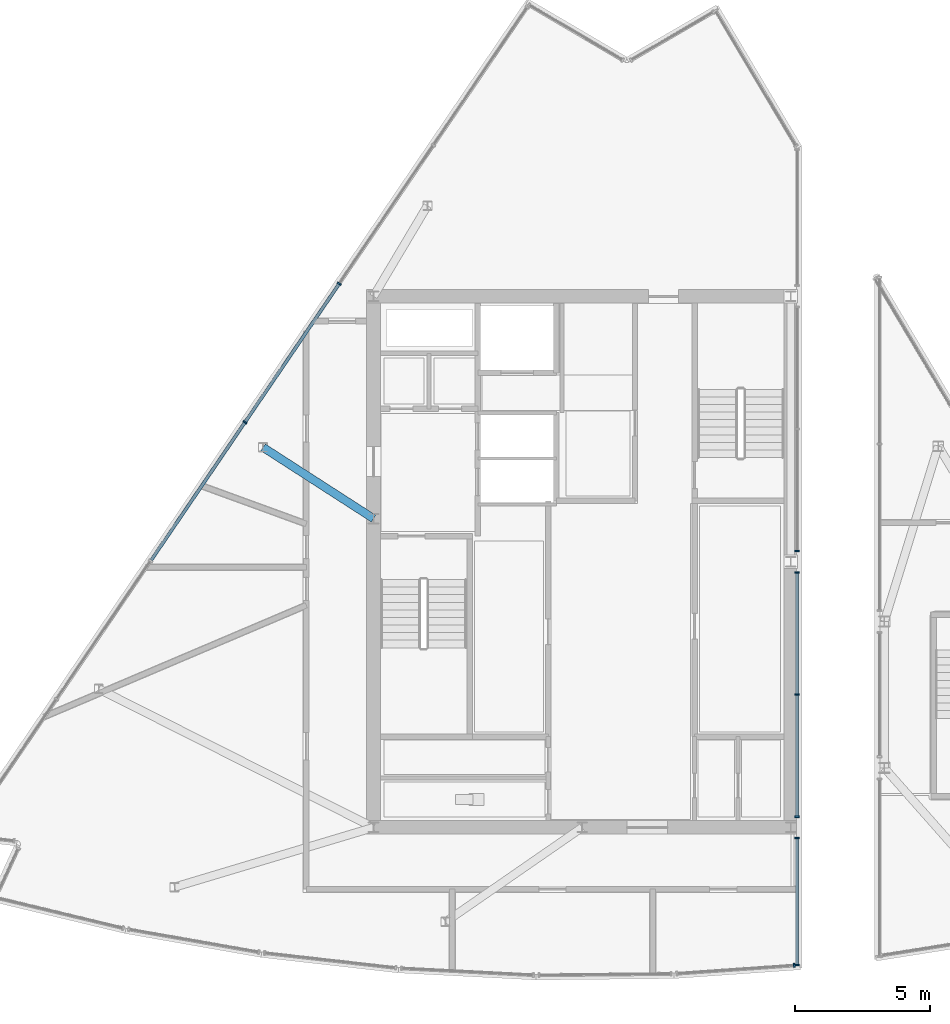
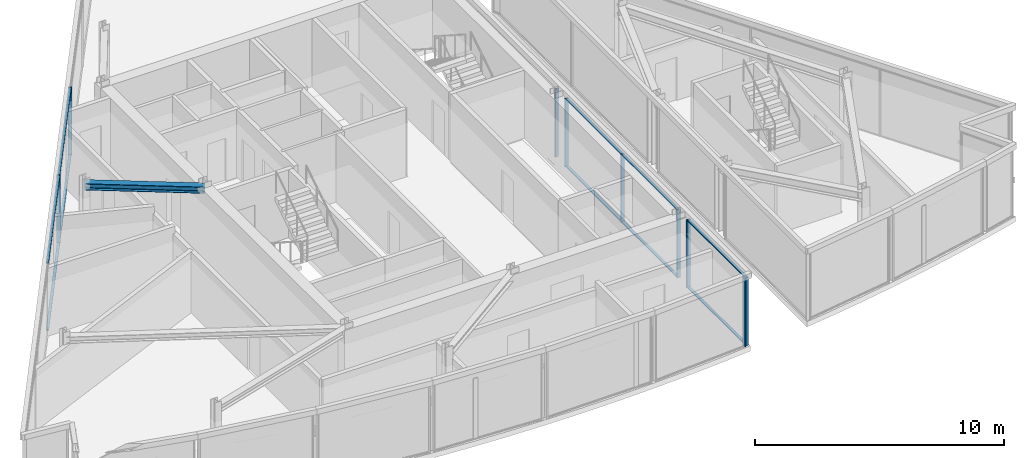
# One storey, part 4 of 15: 19 members, 1 beam, 5 elements without a shape of their own.
"""IFC4 building model written with IfcOpenShell, lengths in metres."""

from ifc_helpers import new_model, si_unit, direction, frame, origin, origin_2d, place, context, subcontext, project, spatial, rectangle, i_section, extrude, material, material_profile, profile_set, type_object, element, aggregate, save


model = new_model("IFC4")

# Units and contexts
model_context = context("Model", 3, precision=1e-05, world=origin(), true_north=direction((0.0, 1.0)))
body_context = subcontext(model_context, "Body", "Model", "MODEL_VIEW")
ifc_project = project(units=[si_unit("LENGTHUNIT", "METRE"), si_unit("AREAUNIT", "SQUARE_METRE"), si_unit("VOLUMEUNIT", "CUBIC_METRE"), si_unit("PLANEANGLEUNIT", "RADIAN"), si_unit("MASSUNIT", "GRAM", prefix="KILO")], contexts=[model_context])

# Site, building, storey
site_placement = place(None, origin())
site = spatial("IfcSite", under=ifc_project, at=site_placement, CompositionType="ELEMENT")
building_placement = place(site_placement, origin())
building = spatial("IfcBuilding", under=site, at=building_placement, Name="Savorim Split Tower", CompositionType="ELEMENT")
storey_placement = place(building_placement, frame((0.0, 0.0, 308.39990234375)))
storey = spatial("IfcBuildingStorey", under=building, at=storey_placement, Name="Crown L82 Plant", CompositionType="ELEMENT", Elevation=308.39990234375)

# Beam
ifc_material_1 = material(Name="Steel S355", Category="steel")
ifc_material_profile_1 = material_profile(ifc_material_1, i_section(OverallWidth=0.300048828125, OverallDepth=0.320068359375, WebThickness=0.011474609375, FlangeThickness=0.0205078125, FilletRadius=0.027099609375, at=origin_2d()), Name="HEB 320")
ifc_profile_set_1 = profile_set([ifc_material_profile_1], Name="Steel S355")
beam_type = type_object("IfcBeamType", Name="BM-PRI-HEB320", PredefinedType="BEAM", material=ifc_profile_set_1)
beam_placement = place(storey_placement, frame((-11.775390625, 4.626708984375, 3.18017578125), z_axis=(0.840541482681, -0.541747188172, 0.0), x_axis=(0.541747188172, 0.840541482681, 0.0)))
element("IfcBeam", 1, at=beam_placement, inside=storey, type_object=beam_type, Name="Crown L82 Plant West Crown Beam WBG-4", PredefinedType="BEAM", context=body_context, shape_type="SweptSolid", body=[
    extrude(i_section(OverallWidth=0.300048828125, OverallDepth=0.320068359375, WebThickness=0.011474609375, FlangeThickness=0.0205078125, FilletRadius=0.027099609375, at=origin_2d()), origin(), (0.0, 0.0, 1.0), 4.8486328125),
])

# Curtain wall, members
ifc_material_2 = material(Name="Dark Ceramic-Fritted Insulated Glass", Category="glass")
curtain_wall_type = type_object("IfcCurtainWallType", Name="CW-CROWN-CREST", PredefinedType="NOTDEFINED", material=ifc_material_2)
curtain_wall_1_placement = place(storey_placement, origin())
curtain_wall_1 = element("IfcCurtainWall", 2, at=curtain_wall_1_placement, inside=storey, type_object=curtain_wall_type, Name="Crown L82 Plant Curtain Wall CW-Crown-L82-Plant-W1AS1", PredefinedType="NOTDEFINED")
ifc_material_3 = material(Name="Charcoal Anodised Aluminium", Category="aluminium")
ifc_material_profile_2 = material_profile(ifc_material_3, rectangle(XDim=0.159912109375, YDim=0.06005859375, at=origin_2d()), Name="ALU-M 160x60")
ifc_profile_set_2 = profile_set([ifc_material_profile_2], Name="Charcoal Anodised Aluminium")
member_type_1 = type_object("IfcMemberType", Name="CWM-160x60", PredefinedType="MULLION", material=ifc_profile_set_2)
member_1_placement = place(storey_placement, frame((7.929931640625, -14.482421875, 0.0), z_axis=(0.0, 0.0, 1.0), x_axis=(-1.0, 0.0, 0.0)))
member_1 = element("IfcMember", 3, at=member_1_placement, type_object=member_type_1, Name="CW-07 mullion 1", PredefinedType="MULLION", context=body_context, shape_type="SweptSolid", body=[
    extrude(rectangle(XDim=0.159912109375, YDim=0.06005859375, at=origin_2d()), origin(), (0.0, 0.0, 1.0), 3.340087890625),
])
member_2_placement = place(storey_placement, frame((7.929931640625, -9.7958984375, 0.0), z_axis=(0.0, 0.0, 1.0), x_axis=(-1.0, 0.0, 0.0)))
member_2 = element("IfcMember", 4, at=member_2_placement, type_object=member_type_1, Name="CW-07 mullion 2", PredefinedType="MULLION", context=body_context, shape_type="SweptSolid", body=[
    extrude(rectangle(XDim=0.159912109375, YDim=0.06005859375, at=origin_2d()), origin(), (0.0, 0.0, 1.0), 3.340087890625),
])

curtain_wall_2_placement = place(storey_placement, origin())
curtain_wall_2 = element("IfcCurtainWall", 5, at=curtain_wall_2_placement, inside=storey, type_object=curtain_wall_type, Name="Crown L82 Plant Curtain Wall CW-Crown-L82-Plant-W1AS2", PredefinedType="NOTDEFINED")
member_3_placement = place(storey_placement, frame((7.929931640625, -9.00390625, 0.0), z_axis=(0.0, 0.0, 1.0), x_axis=(-1.0, 0.0, 0.0)))
member_3 = element("IfcMember", 6, at=member_3_placement, type_object=member_type_1, Name="CW-07 mullion 1", PredefinedType="MULLION", context=body_context, shape_type="SweptSolid", body=[
    extrude(rectangle(XDim=0.159912109375, YDim=0.06005859375, at=origin_2d()), origin(), (0.0, 0.0, 1.0), 3.340087890625),
])
member_4_placement = place(storey_placement, frame((7.929931640625, -4.5, 0.0), z_axis=(0.0, 0.0, 1.0), x_axis=(-1.0, 0.0, 0.0)))
member_4 = element("IfcMember", 7, at=member_4_placement, type_object=member_type_1, Name="CW-07 mullion 2", PredefinedType="MULLION", context=body_context, shape_type="SweptSolid", body=[
    extrude(rectangle(XDim=0.159912109375, YDim=0.06005859375, at=origin_2d()), origin(), (0.0, 0.0, 1.0), 3.340087890625),
])
member_5_placement = place(storey_placement, frame((7.929931640625, 0.00390625, 0.0), z_axis=(0.0, 0.0, 1.0), x_axis=(-1.0, 0.0, 0.0)))
member_5 = element("IfcMember", 8, at=member_5_placement, type_object=member_type_1, Name="CW-07 mullion 3", PredefinedType="MULLION", context=body_context, shape_type="SweptSolid", body=[
    extrude(rectangle(XDim=0.159912109375, YDim=0.06005859375, at=origin_2d()), origin(), (0.0, 0.0, 1.0), 3.340087890625),
])

# Curtain wall, member
curtain_wall_3_placement = place(storey_placement, origin())
curtain_wall_3 = element("IfcCurtainWall", 9, at=curtain_wall_3_placement, inside=storey, type_object=curtain_wall_type, Name="Crown L82 Plant Curtain Wall CW-Crown-L82-Plant-W1AS3", PredefinedType="NOTDEFINED")
member_6_placement = place(storey_placement, frame((7.929931640625, 0.7958984375, 0.0), z_axis=(0.0, 0.0, 1.0), x_axis=(-1.0, 0.0, 0.0)))
member_6 = element("IfcMember", 10, at=member_6_placement, type_object=member_type_1, Name="CW-07 mullion 1", PredefinedType="MULLION", context=body_context, shape_type="SweptSolid", body=[
    extrude(rectangle(XDim=0.159912109375, YDim=0.06005859375, at=origin_2d()), origin(), (0.0, 0.0, 1.0), 3.340087890625),
])
aggregate(curtain_wall_3, [member_6])

# Curtain wall, members
curtain_wall_4_placement = place(storey_placement, origin())
curtain_wall_4 = element("IfcCurtainWall", 11, at=curtain_wall_4_placement, inside=storey, type_object=curtain_wall_type, Name="Crown L82 Plant Curtain Wall CW-Crown-L82-Plant-W5A", PredefinedType="NOTDEFINED")
member_7_placement = place(storey_placement, frame((-8.96435546875, 10.666748046875, 0.0), z_axis=(0.0, 0.0, 1.0), x_axis=(0.826820209183, -0.562466302712, 0.0)))
member_7 = element("IfcMember", 12, at=member_7_placement, type_object=member_type_1, Name="CW-07 mullion 3", PredefinedType="MULLION", context=body_context, shape_type="SweptSolid", body=[
    extrude(rectangle(XDim=0.159912109375, YDim=0.06005859375, at=origin_2d()), origin(), (0.0, 0.0, 1.0), 3.340087890625),
])
member_8_placement = place(storey_placement, frame((-12.4423828125, 5.553955078125, 0.0), z_axis=(0.0, 0.0, 1.0), x_axis=(0.826820209183, -0.562466302712, 0.0)))
member_8 = element("IfcMember", 13, at=member_8_placement, type_object=member_type_1, Name="CW-07 mullion 4", PredefinedType="MULLION", context=body_context, shape_type="SweptSolid", body=[
    extrude(rectangle(XDim=0.159912109375, YDim=0.06005859375, at=origin_2d()), origin(), (0.0, 0.0, 1.0), 3.340087890625),
])

# Curtain wall, member
curtain_wall_5_placement = place(storey_placement, origin())
curtain_wall_5 = element("IfcCurtainWall", 14, at=curtain_wall_5_placement, inside=storey, type_object=curtain_wall_type, Name="Crown L82 Plant Curtain Wall CW-Crown-L82-Plant-W13A", PredefinedType="NOTDEFINED")
member_9_placement = place(storey_placement, frame((7.8271484375, -14.48779296875, 0.0), z_axis=(0.0, 0.0, 1.0), x_axis=(-0.069697104159, 0.99756820001, 0.0)))
member_9 = element("IfcMember", 15, at=member_9_placement, type_object=member_type_1, Name="CW-07 mullion 2", PredefinedType="MULLION", context=body_context, shape_type="SweptSolid", body=[
    extrude(rectangle(XDim=0.159912109375, YDim=0.06005859375, at=origin_2d()), origin(), (0.0, 0.0, 1.0), 3.340087890625),
])
aggregate(curtain_wall_5, [member_9])

# Member
ifc_material_profile_3 = material_profile(ifc_material_3, rectangle(XDim=0.1201171875, YDim=0.050048828125, at=origin_2d()), Name="ALU-T 120x50")
ifc_profile_set_3 = profile_set([ifc_material_profile_3], Name="Charcoal Anodised Aluminium")
member_type_2 = type_object("IfcMemberType", Name="CWT-120x50", PredefinedType="USERDEFINED", material=ifc_profile_set_3)
member_10_placement = place(storey_placement, frame((7.929931640625, -14.452392578125, 0.025146484375), z_axis=(0.0, 1.0, 0.0), x_axis=(-1.0, 0.0, 0.0)))
member_10 = element("IfcMember", 16, at=member_10_placement, type_object=member_type_2, Name="CW-07 transom 1.1", ObjectType="TRANSOM", PredefinedType="USERDEFINED", context=body_context, shape_type="SweptSolid", body=[
    extrude(rectangle(XDim=0.1201171875, YDim=0.050048828125, at=origin_2d()), origin(), (0.0, 0.0, 1.0), 4.62646484375),
])

member_11_placement = place(storey_placement, frame((7.929931640625, -14.452392578125, 3.315185546875), z_axis=(0.0, 1.0, 0.0), x_axis=(-1.0, 0.0, 0.0)))
member_11 = element("IfcMember", 17, at=member_11_placement, type_object=member_type_2, Name="CW-07 transom 1.2", ObjectType="TRANSOM", PredefinedType="USERDEFINED", context=body_context, shape_type="SweptSolid", body=[
    extrude(rectangle(XDim=0.1201171875, YDim=0.050048828125, at=origin_2d()), origin(), (0.0, 0.0, 1.0), 4.62646484375),
])

aggregate(curtain_wall_1, [member_1, member_2, member_10, member_11])

member_12_placement = place(storey_placement, frame((7.929931640625, -8.97412109375, 0.025146484375), z_axis=(0.0, 1.0, 0.0), x_axis=(-1.0, 0.0, 0.0)))
member_12 = element("IfcMember", 18, at=member_12_placement, type_object=member_type_2, Name="CW-07 transom 1.1", ObjectType="TRANSOM", PredefinedType="USERDEFINED", context=body_context, shape_type="SweptSolid", body=[
    extrude(rectangle(XDim=0.1201171875, YDim=0.050048828125, at=origin_2d()), origin(), (0.0, 0.0, 1.0), 4.444091796875),
])

member_13_placement = place(storey_placement, frame((7.929931640625, -8.97412109375, 3.315185546875), z_axis=(0.0, 1.0, 0.0), x_axis=(-1.0, 0.0, 0.0)))
member_13 = element("IfcMember", 19, at=member_13_placement, type_object=member_type_2, Name="CW-07 transom 1.2", ObjectType="TRANSOM", PredefinedType="USERDEFINED", context=body_context, shape_type="SweptSolid", body=[
    extrude(rectangle(XDim=0.1201171875, YDim=0.050048828125, at=origin_2d()), origin(), (0.0, 0.0, 1.0), 4.444091796875),
])

member_14_placement = place(storey_placement, frame((7.929931640625, -4.469970703125, 0.025146484375), z_axis=(0.0, 1.0, 0.0), x_axis=(-1.0, 0.0, 0.0)))
member_14 = element("IfcMember", 20, at=member_14_placement, type_object=member_type_2, Name="CW-07 transom 2.1", ObjectType="TRANSOM", PredefinedType="USERDEFINED", context=body_context, shape_type="SweptSolid", body=[
    extrude(rectangle(XDim=0.1201171875, YDim=0.050048828125, at=origin_2d()), origin(), (0.0, 0.0, 1.0), 4.444091796875),
])

member_15_placement = place(storey_placement, frame((7.929931640625, -4.469970703125, 3.315185546875), z_axis=(0.0, 1.0, 0.0), x_axis=(-1.0, 0.0, 0.0)))
member_15 = element("IfcMember", 21, at=member_15_placement, type_object=member_type_2, Name="CW-07 transom 2.2", ObjectType="TRANSOM", PredefinedType="USERDEFINED", context=body_context, shape_type="SweptSolid", body=[
    extrude(rectangle(XDim=0.1201171875, YDim=0.050048828125, at=origin_2d()), origin(), (0.0, 0.0, 1.0), 4.444091796875),
])

aggregate(curtain_wall_2, [member_3, member_4, member_5, member_12, member_13, member_14, member_15])

member_16_placement = place(storey_placement, frame((-8.981201171875, 10.64208984375, 0.025146484375), z_axis=(-0.562459408624, -0.826824899026, 0.0), x_axis=(0.826824899026, -0.562459408624, 0.0)))
member_16 = element("IfcMember", 22, at=member_16_placement, type_object=member_type_2, Name="CW-07 transom 3.1", ObjectType="TRANSOM", PredefinedType="USERDEFINED", context=body_context, shape_type="SweptSolid", body=[
    extrude(rectangle(XDim=0.1201171875, YDim=0.050048828125, at=origin_2d()), origin(), (0.0, 0.0, 1.0), 6.123779296875),
])

member_17_placement = place(storey_placement, frame((-8.981201171875, 10.64208984375, 3.315185546875), z_axis=(-0.562459408624, -0.826824899026, 0.0), x_axis=(0.826824899026, -0.562459408624, 0.0)))
member_17 = element("IfcMember", 23, at=member_17_placement, type_object=member_type_2, Name="CW-07 transom 3.2", ObjectType="TRANSOM", PredefinedType="USERDEFINED", context=body_context, shape_type="SweptSolid", body=[
    extrude(rectangle(XDim=0.1201171875, YDim=0.050048828125, at=origin_2d()), origin(), (0.0, 0.0, 1.0), 6.123779296875),
])

member_18_placement = place(storey_placement, frame((-12.459228515625, 5.529296875, 0.025146484375), z_axis=(-0.562459408624, -0.826824899026, 0.0), x_axis=(0.826824899026, -0.562459408624, 0.0)))
member_18 = element("IfcMember", 24, at=member_18_placement, type_object=member_type_2, Name="CW-07 transom 4.1", ObjectType="TRANSOM", PredefinedType="USERDEFINED", context=body_context, shape_type="SweptSolid", body=[
    extrude(rectangle(XDim=0.1201171875, YDim=0.050048828125, at=origin_2d()), origin(), (0.0, 0.0, 1.0), 6.123779296875),
])

member_19_placement = place(storey_placement, frame((-12.459228515625, 5.529296875, 3.315185546875), z_axis=(-0.562459408624, -0.826824899026, 0.0), x_axis=(0.826824899026, -0.562459408624, 0.0)))
member_19 = element("IfcMember", 25, at=member_19_placement, type_object=member_type_2, Name="CW-07 transom 4.2", ObjectType="TRANSOM", PredefinedType="USERDEFINED", context=body_context, shape_type="SweptSolid", body=[
    extrude(rectangle(XDim=0.1201171875, YDim=0.050048828125, at=origin_2d()), origin(), (0.0, 0.0, 1.0), 6.123779296875),
])

aggregate(curtain_wall_4, [member_7, member_8, member_16, member_17, member_18, member_19])

save(model, "model.ifc")
